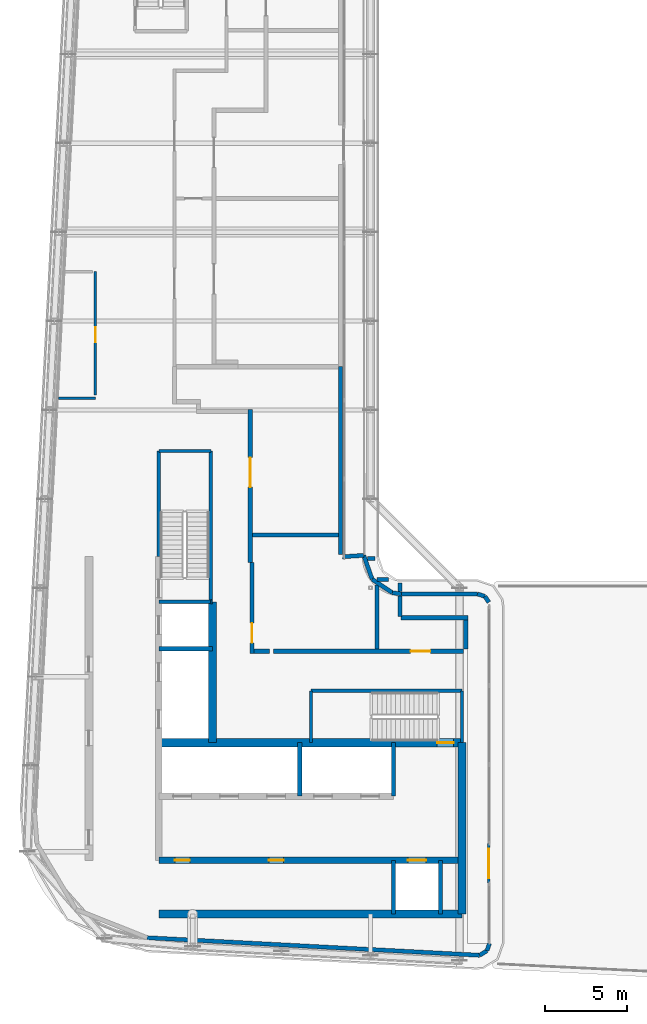
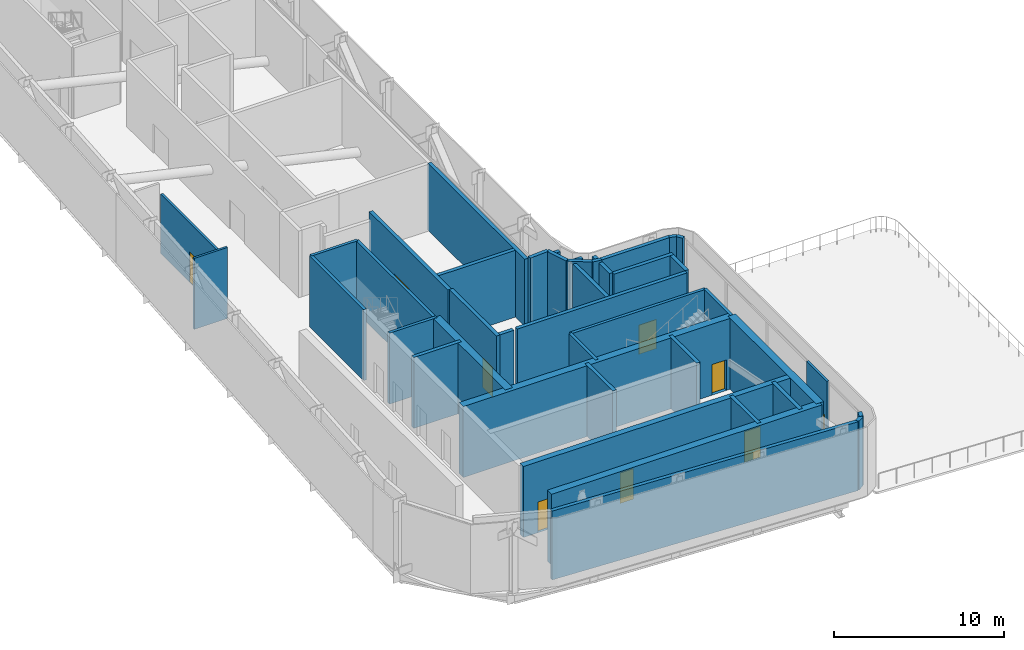
# One storey, part 11 of 18: 44 walls, 9 doors, 9 openings.
"""IFC4 building model written with IfcOpenShell, lengths in metres."""

from ifc_helpers import new_model, si_unit, direction, frame, frame_2d, origin, place, context, subcontext, project, spatial, rectangle, extrude, source, transform, mapped, material, layer, layer_set, type_object, element, fill, save


model = new_model("IFC4")

# Units and contexts
model_context = context("Model", 3, precision=1e-05, world=origin(), true_north=direction((0.0, 1.0)))
body_context = subcontext(model_context, "Body", "Model", "MODEL_VIEW")
ifc_project = project(units=[si_unit("LENGTHUNIT", "METRE"), si_unit("AREAUNIT", "SQUARE_METRE"), si_unit("VOLUMEUNIT", "CUBIC_METRE"), si_unit("PLANEANGLEUNIT", "RADIAN"), si_unit("MASSUNIT", "GRAM", prefix="KILO")], contexts=[model_context])

# Site, building, storey
site_placement = place(None, origin())
site = spatial("IfcSite", under=ifc_project, at=site_placement, CompositionType="ELEMENT")
building_placement = place(site_placement, origin())
building = spatial("IfcBuilding", under=site, at=building_placement, Name="Kheshtan School and Residences Tower", CompositionType="ELEMENT")
storey_placement = place(building_placement, frame((0.0, 0.0, 333.199951171875)))
storey = spatial("IfcBuildingStorey", under=building, at=storey_placement, Name="L78", CompositionType="ELEMENT", Elevation=333.199951171875)

# Wall, openings, doors
ifc_material_1 = material(Name="Concrete C50/60", Category="concrete")
ifc_layer_1 = layer(ifc_material_1, 0.39990234375)
ifc_layer_set_1 = layer_set([ifc_layer_1], Name="Core wall 400 Concrete C50/60")
wall_type_1 = type_object("IfcWallType", Name="Core wall 400 Concrete C50/60", PredefinedType="SHEAR", material=ifc_layer_set_1)
wall_1_placement = place(storey_placement, frame((34.75, 29.050048828125, 0.0), z_axis=(0.0, 0.0, 1.0), x_axis=(1.0, 0.0, 0.0)))
wall_1 = element("IfcWall", 1, at=wall_1_placement, inside=storey, type_object=wall_type_1, Name="Core wall CW-HALL-S1", PredefinedType="SHEAR", context=body_context, shape_type="SweptSolid", body=[
    extrude(rectangle(XDim=18.39990234375, YDim=0.39990234375, at=frame_2d((9.199951171875, 0.0))), origin(), (0.0, 0.0, 1.0), 5.10009765625),
])
opening_1_placement = place(wall_1_placement, frame((15.125, 0.0, 0.0)))
opening_1 = element("IfcOpeningElement", 2, at=opening_1_placement, cuts=wall_1, Name="Opening LD", PredefinedType="OPENING", context=body_context, shape_type="SweptSolid", body=[
    extrude(rectangle(XDim=1.10009765625, YDim=2.199951171875, at=frame_2d((0.550048828125, 1.10009765625))), frame((0.0, 0.2099609375, 0.0), z_axis=(0.0, -1.0, 0.0), x_axis=(1.0, 0.0, 0.0)), (0.0, 0.0, 1.0), 0.419921875),
])
opening_2_placement = place(wall_1_placement, frame((0.97509765625, 0.0, 0.0)))
opening_2 = element("IfcOpeningElement", 3, at=opening_2_placement, cuts=wall_1, Name="Opening SR90", PredefinedType="OPENING", context=body_context, shape_type="SweptSolid", body=[
    extrude(rectangle(XDim=0.89990234375, YDim=2.199951171875, at=frame_2d((0.449951171875, 1.10009765625))), frame((0.0, 0.2099609375, 0.0), z_axis=(0.0, -1.0, 0.0), x_axis=(1.0, 0.0, 0.0)), (0.0, 0.0, 1.0), 0.419921875),
])
opening_3_placement = place(wall_1_placement, frame((6.675048828125, 0.0, 0.0)))
opening_3 = element("IfcOpeningElement", 4, at=opening_3_placement, cuts=wall_1, Name="Opening SR90", PredefinedType="OPENING", context=body_context, shape_type="SweptSolid", body=[
    extrude(rectangle(XDim=0.89990234375, YDim=2.199951171875, at=frame_2d((0.449951171875, 1.10009765625))), frame((0.0, 0.2099609375, 0.0), z_axis=(0.0, -1.0, 0.0), x_axis=(1.0, 0.0, 0.0)), (0.0, 0.0, 1.0), 0.419921875),
])
ifc_material_2 = material(Name="Stainless steel door leaves", Category="steel")
door_type_1 = type_object("IfcDoorType", Name="Lift landing door 1100", OperationType="SLIDING_TO_LEFT", PredefinedType="DOOR", material=ifc_material_2)
shared_shape_1 = source(origin(), body_context, "Body", "SweptSolid", [
    extrude(rectangle(XDim=1.10009765625, YDim=2.199951171875, at=frame_2d((0.550048828125, 1.10009765625))), frame((0.0, 0.02490234375, 0.0), z_axis=(0.0, -1.0, 0.0), x_axis=(1.0, 0.0, 0.0)), (0.0, 0.0, 1.0), 0.050048828125),
])
door_1_placement = place(opening_1_placement, origin())
door_1 = element("IfcDoor", 5, at=door_1_placement, inside=storey, type_object=door_type_1, Name="Lift FFL2 landing door", OperationType="SLIDING_TO_LEFT", OverallHeight=2.199951171875, OverallWidth=1.10009765625, PredefinedType="DOOR", context=body_context, shape_type="MappedRepresentation", body=[
    mapped(shared_shape_1, transform((0.0, 0.0, 0.0), x_axis=(1.0, 0.0, 0.0), y_axis=(0.0, 1.0, 0.0), z_axis=(0.0, 0.0, 1.0), scale=1.0)),
])
fill(opening_1, door_1)
ifc_material_3 = material(Name="Steel door leaf, galvanised", Category="steel")
door_type_2 = type_object("IfcDoorType", Name="Service room door 900 steel 90 min", OperationType="SINGLE_SWING_LEFT", PredefinedType="DOOR", material=ifc_material_3)
shared_shape_2 = source(origin(), body_context, "Body", "SweptSolid", [
    extrude(rectangle(XDim=0.89990234375, YDim=2.199951171875, at=frame_2d((0.449951171875, 1.10009765625))), frame((0.0, 0.02490234375, 0.0), z_axis=(0.0, -1.0, 0.0), x_axis=(1.0, 0.0, 0.0)), (0.0, 0.0, 1.0), 0.050048828125),
])
door_2_placement = place(opening_2_placement, origin())
door_2 = element("IfcDoor", 6, at=door_2_placement, inside=storey, type_object=door_type_2, Name="Service room door", OperationType="SINGLE_SWING_LEFT", OverallHeight=2.199951171875, OverallWidth=0.89990234375, PredefinedType="DOOR", context=body_context, shape_type="MappedRepresentation", body=[
    mapped(shared_shape_2, transform((0.0, 0.0, 0.0), x_axis=(1.0, 0.0, 0.0), y_axis=(0.0, 1.0, 0.0), z_axis=(0.0, 0.0, 1.0), scale=1.0)),
])
fill(opening_2, door_2)
door_3_placement = place(opening_3_placement, origin())
door_3 = element("IfcDoor", 7, at=door_3_placement, inside=storey, type_object=door_type_2, Name="Service room door", OperationType="SINGLE_SWING_RIGHT", OverallHeight=2.199951171875, OverallWidth=0.89990234375, PredefinedType="DOOR", context=body_context, shape_type="MappedRepresentation", body=[
    mapped(shared_shape_2, transform((0.0, 0.0, 0.0), x_axis=(1.0, 0.0, 0.0), y_axis=(0.0, 1.0, 0.0), z_axis=(0.0, 0.0, 1.0), scale=1.0)),
])
fill(opening_3, door_3)

# Wall
ifc_layer_2 = layer(ifc_material_1, 0.5)
ifc_layer_set_2 = layer_set([ifc_layer_2], Name="Core wall 500 Concrete C50/60")
wall_type_2 = type_object("IfcWallType", Name="Core wall 500 Concrete C50/60", PredefinedType="SHEAR", material=ifc_layer_set_2)
wall_2_placement = place(storey_placement, frame((34.75, 25.800048828125, 0.0), z_axis=(0.0, 0.0, 1.0), x_axis=(1.0, 0.0, 0.0)))
element("IfcWall", 8, at=wall_2_placement, inside=storey, type_object=wall_type_2, Name="Core wall CW-REAR-S", PredefinedType="SHEAR", context=body_context, shape_type="SweptSolid", body=[
    extrude(rectangle(XDim=18.39990234375, YDim=0.5, at=frame_2d((9.199951171875, 0.0))), origin(), (0.0, 0.0, 1.0), 5.10009765625),
])

# Wall, opening, door
wall_3_placement = place(storey_placement, frame((34.75, 36.199951171875, 0.0), z_axis=(0.0, 0.0, 1.0), x_axis=(1.0, 0.0, 0.0)))
wall_3 = element("IfcWall", 9, at=wall_3_placement, inside=storey, type_object=wall_type_2, Name="Core wall CW-FRONT-S", PredefinedType="SHEAR", context=body_context, shape_type="SweptSolid", body=[
    extrude(rectangle(XDim=18.39990234375, YDim=0.5, at=frame_2d((9.199951171875, 0.0))), origin(), (0.0, 0.0, 1.0), 5.10009765625),
])
opening_4_placement = place(wall_3_placement, frame((16.89990234375, 0.0, 0.0)))
opening_4 = element("IfcOpeningElement", 10, at=opening_4_placement, cuts=wall_3, Name="Opening ST1D", PredefinedType="OPENING", context=body_context, shape_type="SweptSolid", body=[
    extrude(rectangle(XDim=1.0, YDim=2.199951171875, at=frame_2d((0.5, 1.10009765625))), frame((0.0, 0.260009765625, 0.0), z_axis=(0.0, -1.0, 0.0), x_axis=(1.0, 0.0, 0.0)), (0.0, 0.0, 1.0), 0.52001953125),
])
door_type_3 = type_object("IfcDoorType", Name="Stair door 1100 steel 90 min", OperationType="SINGLE_SWING_LEFT", PredefinedType="DOOR", material=ifc_material_3)
shared_shape_3 = source(origin(), body_context, "Body", "SweptSolid", [
    extrude(rectangle(XDim=1.0, YDim=2.199951171875, at=frame_2d((0.5, 1.10009765625))), frame((0.0, 0.02490234375, 0.0), z_axis=(0.0, -1.0, 0.0), x_axis=(1.0, 0.0, 0.0)), (0.0, 0.0, 1.0), 0.050048828125),
])
door_4_placement = place(opening_4_placement, origin())
door_4 = element("IfcDoor", 11, at=door_4_placement, inside=storey, type_object=door_type_3, Name="Stair ST1 door", OperationType="SINGLE_SWING_RIGHT", OverallHeight=2.199951171875, OverallWidth=1.0, PredefinedType="DOOR", context=body_context, shape_type="MappedRepresentation", body=[
    mapped(shared_shape_3, transform((0.0, 0.0, 0.0), x_axis=(1.0, 0.0, 0.0), y_axis=(0.0, 1.0, 0.0), z_axis=(0.0, 0.0, 1.0), scale=1.0)),
])
fill(opening_4, door_4)

# Walls
wall_4_placement = place(storey_placement, frame((38.0, 36.199951171875, 0.0), z_axis=(0.0, 0.0, 1.0), x_axis=(0.0, 1.0, 0.0)))
element("IfcWall", 12, at=wall_4_placement, inside=storey, type_object=wall_type_2, Name="Core wall CW-FRONT-W", PredefinedType="SHEAR", context=body_context, shape_type="SweptSolid", body=[
    extrude(rectangle(XDim=8.550048828125, YDim=0.5, at=frame_2d((4.27490234375, 0.0))), origin(), (0.0, 0.0, 1.0), 5.10009765625),
])
wall_5_placement = place(storey_placement, frame((53.14990234375, 25.800048828125, 0.0), z_axis=(0.0, 0.0, 1.0), x_axis=(0.0, 1.0, 0.0)))
element("IfcWall", 13, at=wall_5_placement, inside=storey, type_object=wall_type_2, Name="Core wall CW-EAST", PredefinedType="SHEAR", context=body_context, shape_type="SweptSolid", body=[
    extrude(rectangle(XDim=10.39990234375, YDim=0.5, at=frame_2d((5.199951171875, 0.0))), origin(), (0.0, 0.0, 1.0), 5.10009765625),
])
ifc_material_4 = material(Name="Concrete C40/50 with ceramic cladding and mineral wool insulation", Category="concrete")
ifc_layer_3 = layer(ifc_material_4, 0.25)
ifc_layer_set_3 = layer_set([ifc_layer_3], Name="External wall 250 ceramic clad")
wall_type_3 = type_object("IfcWallType", Name="External wall 250 ceramic clad", PredefinedType="SOLIDWALL", material=ifc_layer_set_3)
wall_6_placement = place(storey_placement, frame((54.089111328125, 45.22509765625, 0.0), z_axis=(0.0, 0.0, 1.0), x_axis=(0.95293248308, -0.303182589689, 0.0)))
element("IfcWall", 14, at=wall_6_placement, inside=storey, type_object=wall_type_3, Name="External wall L78 1", PredefinedType="SOLIDWALL", context=body_context, shape_type="SweptSolid", body=[
    extrude(rectangle(XDim=0.478271484375, YDim=0.25, at=frame_2d((0.2392578125, 0.0))), origin(), (0.0, 0.0, 1.0), 4.949951171875),
])
wall_7_placement = place(storey_placement, frame((54.544921875, 45.080078125, 0.0), z_axis=(0.0, 0.0, 1.0), x_axis=(0.554304922981, -0.832313674259, 0.0)))
element("IfcWall", 15, at=wall_7_placement, inside=storey, type_object=wall_type_3, Name="External wall L78 2", PredefinedType="SOLIDWALL", context=body_context, shape_type="SweptSolid", body=[
    extrude(rectangle(XDim=0.427734375, YDim=0.25, at=frame_2d((0.2138671875, 0.0))), origin(), (0.0, 0.0, 1.0), 4.949951171875),
])
wall_8_placement = place(storey_placement, frame((54.819091796875, 24.014892578125, 0.0), z_axis=(0.0, 0.0, 1.0), x_axis=(-0.31061251311, -0.950536620388, 0.0)))
element("IfcWall", 16, at=wall_8_placement, inside=storey, type_object=wall_type_3, Name="External wall L78 4", PredefinedType="SOLIDWALL", context=body_context, shape_type="SweptSolid", body=[
    extrude(rectangle(XDim=0.469970703125, YDim=0.25, at=frame_2d((0.23486328125, 0.0))), origin(), (0.0, 0.0, 1.0), 4.949951171875),
])
wall_9_placement = place(storey_placement, frame((54.673095703125, 23.568115234375, 0.0), z_axis=(0.0, 0.0, 1.0), x_axis=(-0.849633012236, -0.527374387432, 0.0)))
element("IfcWall", 17, at=wall_9_placement, inside=storey, type_object=wall_type_3, Name="External wall L78 5", PredefinedType="SOLIDWALL", context=body_context, shape_type="SweptSolid", body=[
    extrude(rectangle(XDim=0.52734375, YDim=0.25, at=frame_2d((0.263671875, 0.0))), origin(), (0.0, 0.0, 1.0), 4.949951171875),
])
wall_10_placement = place(storey_placement, frame((54.22509765625, 23.2900390625, 0.0), z_axis=(0.0, 0.0, 1.0), x_axis=(-0.998616360924, 0.052586725472, 0.0)))
element("IfcWall", 18, at=wall_10_placement, inside=storey, type_object=wall_type_3, Name="External wall L78 6", PredefinedType="SOLIDWALL", context=body_context, shape_type="SweptSolid", body=[
    extrude(rectangle(XDim=20.214111328125, YDim=0.25, at=frame_2d((10.10693359375, 0.0))), origin(), (0.0, 0.0, 1.0), 4.949951171875),
])
wall_11_placement = place(storey_placement, frame((45.89697265625, 47.486083984375, 0.0), z_axis=(0.0, 0.0, 1.0), x_axis=(0.997841571158, 0.065667334864, 0.0)))
element("IfcWall", 19, at=wall_11_placement, inside=storey, type_object=wall_type_3, Name="External wall L78 20", PredefinedType="SOLIDWALL", context=body_context, shape_type="SweptSolid", body=[
    extrude(rectangle(XDim=1.293701171875, YDim=0.25, at=frame_2d((0.64697265625, 0.0))), origin(), (0.0, 0.0, 1.0), 4.949951171875),
])
wall_12_placement = place(storey_placement, frame((47.18798828125, 47.571044921875, 0.0), z_axis=(0.0, 0.0, 1.0), x_axis=(0.331615835646, -0.943414509931, 0.0)))
element("IfcWall", 20, at=wall_12_placement, inside=storey, type_object=wall_type_3, Name="External wall L78 21", PredefinedType="SOLIDWALL", context=body_context, shape_type="SweptSolid", body=[
    extrude(rectangle(XDim=1.537841796875, YDim=0.25, at=frame_2d((0.76904296875, 0.0))), origin(), (0.0, 0.0, 1.0), 4.949951171875),
])
wall_13_placement = place(storey_placement, frame((47.697998046875, 46.1201171875, 0.0), z_axis=(0.0, 0.0, 1.0), x_axis=(0.831209040074, -0.555960009082, 0.0)))
element("IfcWall", 21, at=wall_13_placement, inside=storey, type_object=wall_type_3, Name="External wall L78 22", PredefinedType="SOLIDWALL", context=body_context, shape_type="SweptSolid", body=[
    extrude(rectangle(XDim=1.47509765625, YDim=0.25, at=frame_2d((0.737548828125, 0.0))), origin(), (0.0, 0.0, 1.0), 4.949951171875),
])
wall_14_placement = place(storey_placement, frame((48.924072265625, 45.300048828125, 0.0), z_axis=(0.0, 0.0, 1.0), x_axis=(0.990938998022, -0.134312703043, 0.0)))
element("IfcWall", 22, at=wall_14_placement, inside=storey, type_object=wall_type_3, Name="External wall L78 23", PredefinedType="SOLIDWALL", context=body_context, shape_type="SweptSolid", body=[
    extrude(rectangle(XDim=0.55810546875, YDim=0.25, at=frame_2d((0.279052734375, 0.0))), origin(), (0.0, 0.0, 1.0), 4.949951171875),
])
wall_15_placement = place(storey_placement, frame((49.47705078125, 45.22509765625, 0.0), z_axis=(0.0, 0.0, 1.0), x_axis=(1.0, 0.0, 0.0)))
element("IfcWall", 23, at=wall_15_placement, inside=storey, type_object=wall_type_3, Name="External wall L78 24", PredefinedType="SOLIDWALL", context=body_context, shape_type="SweptSolid", body=[
    extrude(rectangle(XDim=4.612060546875, YDim=0.25, at=frame_2d((2.30615234375, 0.0))), origin(), (0.0, 0.0, 1.0), 4.949951171875),
])

# Wall, opening, door
ifc_material_5 = material(Name="Aluminium frame wall with insulated infill", Category="aluminium")
ifc_layer_4 = layer(ifc_material_5, 0.14990234375)
ifc_layer_set_4 = layer_set([ifc_layer_4], Name="Glazing frame wall 150")
wall_type_4 = type_object("IfcWallType", Name="Glazing frame wall 150", PredefinedType="SOLIDWALL", material=ifc_layer_set_4)
wall_16_placement = place(storey_placement, frame((54.77490234375, 30.070068359375, 0.0), z_axis=(0.0, 0.0, 1.0), x_axis=(0.0, -1.0, 0.0)))
wall_16 = element("IfcWall", 24, at=wall_16_placement, inside=storey, type_object=wall_type_4, Name="Terrace door wall L78 3", PredefinedType="SOLIDWALL", context=body_context, shape_type="SweptSolid", body=[
    extrude(rectangle(XDim=2.400146484375, YDim=0.14990234375, at=frame_2d((1.2001953125, 0.0))), origin(), (0.0, 0.0, 1.0), 4.949951171875),
])
opening_5_placement = place(wall_16_placement, frame((0.300048828125, 0.0, 0.0)))
opening_5 = element("IfcOpeningElement", 25, at=opening_5_placement, cuts=wall_16, Name="Opening BD", PredefinedType="OPENING", context=body_context, shape_type="SweptSolid", body=[
    extrude(rectangle(XDim=1.800048828125, YDim=2.39990234375, at=frame_2d((0.89990234375, 1.199951171875))), frame((0.0, 0.0849609375, 0.0), z_axis=(0.0, -1.0, 0.0), x_axis=(1.0, 0.0, 0.0)), (0.0, 0.0, 1.0), 0.169921875),
])
ifc_material_6 = material(Name="Clear low-e glass in thermally broken aluminium frame", Category="aluminium")
door_type_4 = type_object("IfcDoorType", Name="Balcony sliding door", OperationType="SLIDING_TO_LEFT", PredefinedType="DOOR", material=ifc_material_6)
shared_shape_4 = source(origin(), body_context, "Body", "SweptSolid", [
    extrude(rectangle(XDim=1.800048828125, YDim=2.39990234375, at=frame_2d((0.89990234375, 1.199951171875))), frame((0.0, 0.02490234375, 0.0), z_axis=(0.0, -1.0, 0.0), x_axis=(1.0, 0.0, 0.0)), (0.0, 0.0, 1.0), 0.050048828125),
])
door_5_placement = place(opening_5_placement, origin())
door_5 = element("IfcDoor", 26, at=door_5_placement, inside=storey, type_object=door_type_4, Name="Terrace door L78 3", OperationType="SLIDING_TO_LEFT", OverallHeight=2.39990234375, OverallWidth=1.800048828125, PredefinedType="DOOR", context=body_context, shape_type="MappedRepresentation", body=[
    mapped(shared_shape_4, transform((0.0, 0.0, 0.0), x_axis=(1.0, 0.0, 0.0), y_axis=(0.0, 1.0, 0.0), z_axis=(0.0, 0.0, 1.0), scale=1.0)),
])
fill(opening_5, door_5)

ifc_material_7 = material(Name="Fire-board and steel stud wall with mineral wool", Category="steel")
ifc_layer_5 = layer(ifc_material_7, 0.25)
ifc_layer_set_5 = layer_set([ifc_layer_5], Name="Plant room wall 250")
wall_type_5 = type_object("IfcWallType", Name="Plant room wall 250", PredefinedType="PARTITIONING", material=ifc_layer_set_5)
wall_17_placement = place(storey_placement, frame((40.300048828125, 47.14990234375, 0.0), z_axis=(0.0, 0.0, 1.0), x_axis=(0.0, 1.0, 0.0)))
wall_17 = element("IfcWall", 27, at=wall_17_placement, inside=storey, type_object=wall_type_5, Name="Partition L78-031", PredefinedType="PARTITIONING", context=body_context, shape_type="SweptSolid", body=[
    extrude(rectangle(XDim=9.28515625, YDim=0.25, at=frame_2d((4.642578125, 0.0))), origin(), (0.0, 0.0, 1.0), 4.800048828125),
])
opening_6_placement = place(wall_17_placement, frame((4.56201171875, 0.0, 0.0)))
opening_6 = element("IfcOpeningElement", 28, at=opening_6_placement, cuts=wall_17, Name="Opening D78-001", PredefinedType="OPENING", context=body_context, shape_type="SweptSolid", body=[
    extrude(rectangle(XDim=1.800048828125, YDim=2.10009765625, at=frame_2d((0.89990234375, 1.050048828125))), frame((0.0, 0.135009765625, 0.0), z_axis=(0.0, -1.0, 0.0), x_axis=(1.0, 0.0, 0.0)), (0.0, 0.0, 1.0), 0.27001953125),
])
ifc_material_8 = material(Name="Steel-framed fire-resisting door leaf", Category="steel")
door_type_5 = type_object("IfcDoorType", Name="Fire double door FD120 1800 x 2100", OperationType="DOUBLE_DOOR_SINGLE_SWING", PredefinedType="DOOR", material=ifc_material_8)
shared_shape_5 = source(origin(), body_context, "Body", "SweptSolid", [
    extrude(rectangle(XDim=1.800048828125, YDim=2.10009765625, at=frame_2d((0.89990234375, 1.050048828125))), frame((0.0, 0.02490234375, 0.0), z_axis=(0.0, -1.0, 0.0), x_axis=(1.0, 0.0, 0.0)), (0.0, 0.0, 1.0), 0.050048828125),
])
door_6_placement = place(opening_6_placement, origin())
door_6 = element("IfcDoor", 29, at=door_6_placement, inside=storey, type_object=door_type_5, Name="Door D78-001", OperationType="DOUBLE_DOOR_SINGLE_SWING", OverallHeight=2.10009765625, OverallWidth=1.800048828125, PredefinedType="DOOR", context=body_context, shape_type="MappedRepresentation", body=[
    mapped(shared_shape_5, transform((0.0, 0.0, 0.0), x_axis=(1.0, 0.0, 0.0), y_axis=(0.0, 1.0, 0.0), z_axis=(0.0, 0.0, 1.0), scale=1.0)),
])
fill(opening_6, door_6)

wall_18_placement = place(storey_placement, frame((40.39990234375, 41.623046875, 0.0), z_axis=(0.0, 0.0, 1.0), x_axis=(0.0, 1.0, 0.0)))
wall_18 = element("IfcWall", 30, at=wall_18_placement, inside=storey, type_object=wall_type_5, Name="Partition L78-032", PredefinedType="PARTITIONING", context=body_context, shape_type="SweptSolid", body=[
    extrude(rectangle(XDim=5.52685546875, YDim=0.25, at=frame_2d((2.763427734375, 0.0))), origin(), (0.0, 0.0, 1.0), 4.800048828125),
])
opening_7_placement = place(wall_18_placement, frame((0.626953125, 0.0, 0.0)))
opening_7 = element("IfcOpeningElement", 31, at=opening_7_placement, cuts=wall_18, Name="Opening D78-002", PredefinedType="OPENING", context=body_context, shape_type="SweptSolid", body=[
    extrude(rectangle(XDim=1.199951171875, YDim=2.10009765625, at=frame_2d((0.60009765625, 1.050048828125))), frame((0.0, 0.135009765625, 0.0), z_axis=(0.0, -1.0, 0.0), x_axis=(1.0, 0.0, 0.0)), (0.0, 0.0, 1.0), 0.27001953125),
])
door_type_6 = type_object("IfcDoorType", Name="Fire door FD120 1200 x 2100", OperationType="SINGLE_SWING_LEFT", PredefinedType="DOOR", material=ifc_material_8)
shared_shape_6 = source(origin(), body_context, "Body", "SweptSolid", [
    extrude(rectangle(XDim=1.199951171875, YDim=2.10009765625, at=frame_2d((0.60009765625, 1.050048828125))), frame((0.0, 0.02490234375, 0.0), z_axis=(0.0, -1.0, 0.0), x_axis=(1.0, 0.0, 0.0)), (0.0, 0.0, 1.0), 0.050048828125),
])
door_7_placement = place(opening_7_placement, origin())
door_7 = element("IfcDoor", 32, at=door_7_placement, inside=storey, type_object=door_type_6, Name="Door D78-002", OperationType="SINGLE_SWING_RIGHT", OverallHeight=2.10009765625, OverallWidth=1.199951171875, PredefinedType="DOOR", context=body_context, shape_type="MappedRepresentation", body=[
    mapped(shared_shape_6, transform((0.0, 0.0, 0.0), x_axis=(1.0, 0.0, 0.0), y_axis=(0.0, 1.0, 0.0), z_axis=(0.0, 0.0, 1.0), scale=1.0)),
])
fill(opening_7, door_7)

# Walls
wall_19_placement = place(storey_placement, frame((40.425048828125, 48.81201171875, 0.0), z_axis=(0.0, 0.0, 1.0), x_axis=(1.0, 0.0, 0.0)))
element("IfcWall", 33, at=wall_19_placement, inside=storey, type_object=wall_type_5, Name="Partition L78-033", PredefinedType="PARTITIONING", context=body_context, shape_type="SweptSolid", body=[
    extrude(rectangle(XDim=5.22998046875, YDim=0.25, at=frame_2d((2.614990234375, 0.0))), origin(), (0.0, 0.0, 1.0), 4.800048828125),
])
wall_20_placement = place(storey_placement, frame((40.52490234375, 41.748046875, 0.0), z_axis=(0.0, 0.0, 1.0), x_axis=(1.0, 0.0, 0.0)))
element("IfcWall", 34, at=wall_20_placement, inside=storey, type_object=wall_type_5, Name="Partition L78-034", PredefinedType="PARTITIONING", context=body_context, shape_type="SweptSolid", body=[
    extrude(rectangle(XDim=0.940185546875, YDim=0.25, at=frame_2d((0.47021484375, 0.0))), origin(), (0.0, 0.0, 1.0), 4.800048828125),
])

# Wall, opening, door
wall_21_placement = place(storey_placement, frame((41.715087890625, 41.7490234375, 0.0), z_axis=(0.0, 0.0, 1.0), x_axis=(0.999999967773, 0.000253876904, 0.0)))
wall_21 = element("IfcWall", 35, at=wall_21_placement, inside=storey, type_object=wall_type_5, Name="Partition L78-040", PredefinedType="PARTITIONING", context=body_context, shape_type="SweptSolid", body=[
    extrude(rectangle(XDim=11.539794921875, YDim=0.25, at=frame_2d((5.77001953125, 0.0))), origin(), (0.0, 0.0, 1.0), 4.800048828125),
])
opening_8_placement = place(wall_21_placement, frame((8.31494140625, 0.0, 0.0)))
opening_8 = element("IfcOpeningElement", 36, at=opening_8_placement, cuts=wall_21, Name="Opening D78-003", PredefinedType="OPENING", context=body_context, shape_type="SweptSolid", body=[
    extrude(rectangle(XDim=1.199951171875, YDim=2.10009765625, at=frame_2d((0.60009765625, 1.050048828125))), frame((0.0, 0.135009765625, 0.0), z_axis=(0.0, -1.0, 0.0), x_axis=(1.0, 0.0, 0.0)), (0.0, 0.0, 1.0), 0.27001953125),
])
door_8_placement = place(opening_8_placement, origin())
door_8 = element("IfcDoor", 37, at=door_8_placement, inside=storey, type_object=door_type_6, Name="Door D78-003", OperationType="SINGLE_SWING_LEFT", OverallHeight=2.10009765625, OverallWidth=1.199951171875, PredefinedType="DOOR", context=body_context, shape_type="MappedRepresentation", body=[
    mapped(shared_shape_6, transform((0.0, 0.0, 0.0), x_axis=(1.0, 0.0, 0.0), y_axis=(0.0, 1.0, 0.0), z_axis=(0.0, 0.0, 1.0), scale=1.0)),
])
fill(opening_8, door_8)

# Walls
wall_22_placement = place(storey_placement, frame((45.780029296875, 47.611083984375, 0.0), z_axis=(0.0, 0.0, 1.0), x_axis=(0.0, 1.0, 0.0)))
element("IfcWall", 38, at=wall_22_placement, inside=storey, type_object=wall_type_5, Name="Partition L78-041", PredefinedType="PARTITIONING", context=body_context, shape_type="SweptSolid", body=[
    extrude(rectangle(XDim=11.412841796875, YDim=0.25, at=frame_2d((5.70654296875, 0.0))), origin(), (0.0, 0.0, 1.0), 4.800048828125),
])
wall_23_placement = place(storey_placement, frame((47.430908203125, 47.3798828125, 0.0), z_axis=(0.0, 0.0, 1.0), x_axis=(1.0, 0.0, 0.0)))
element("IfcWall", 39, at=wall_23_placement, inside=storey, type_object=wall_type_5, Name="Partition L78-047", PredefinedType="PARTITIONING", context=body_context, shape_type="SweptSolid", body=[
    extrude(rectangle(XDim=0.4560546875, YDim=0.25, at=frame_2d((0.22802734375, 0.0))), origin(), (0.0, 0.0, 1.0), 4.800048828125),
])
wall_24_placement = place(storey_placement, frame((47.989990234375, 41.875, 0.0), z_axis=(0.0, 0.0, 1.0), x_axis=(0.0, 1.0, 0.0)))
element("IfcWall", 40, at=wall_24_placement, inside=storey, type_object=wall_type_5, Name="Partition L78-048", PredefinedType="PARTITIONING", context=body_context, shape_type="SweptSolid", body=[
    extrude(rectangle(XDim=3.90087890625, YDim=0.25, at=frame_2d((1.950439453125, 0.0))), origin(), (0.0, 0.0, 1.0), 4.800048828125),
])
wall_25_placement = place(storey_placement, frame((47.989990234375, 46.10009765625, 0.0), z_axis=(0.0, 0.0, 1.0), x_axis=(1.0, 0.0, 0.0)))
element("IfcWall", 41, at=wall_25_placement, inside=storey, type_object=wall_type_5, Name="Partition L78-049", PredefinedType="PARTITIONING", context=body_context, shape_type="SweptSolid", body=[
    extrude(rectangle(XDim=0.694091796875, YDim=0.25, at=frame_2d((0.34716796875, 0.0))), origin(), (0.0, 0.0, 1.0), 4.800048828125),
])
wall_26_placement = place(storey_placement, frame((49.3798828125, 43.85107421875, 0.0), z_axis=(0.0, 0.0, 1.0), x_axis=(0.0, 1.0, 0.0)))
element("IfcWall", 42, at=wall_26_placement, inside=storey, type_object=wall_type_5, Name="Partition L78-050", PredefinedType="PARTITIONING", context=body_context, shape_type="SweptSolid", body=[
    extrude(rectangle(XDim=1.25, YDim=0.25, at=frame_2d((0.625, 0.0))), origin(), (0.0, 0.0, 1.0), 4.800048828125),
])
wall_27_placement = place(storey_placement, frame((49.3798828125, 45.3798828125, 0.0), z_axis=(0.0, 0.0, 1.0), x_axis=(0.0, 1.0, 0.0)))
element("IfcWall", 43, at=wall_27_placement, inside=storey, type_object=wall_type_5, Name="Partition L78-051", PredefinedType="PARTITIONING", context=body_context, shape_type="SweptSolid", body=[
    extrude(rectangle(XDim=0.507080078125, YDim=0.25, at=frame_2d((0.25341796875, 0.0))), origin(), (0.0, 0.0, 1.0), 4.800048828125),
])
wall_28_placement = place(storey_placement, frame((49.450927734375, 43.780029296875, 0.0), z_axis=(0.0, 0.0, 1.0), x_axis=(1.0, 0.0, 0.0)))
element("IfcWall", 44, at=wall_28_placement, inside=storey, type_object=wall_type_5, Name="Partition L78-052", PredefinedType="PARTITIONING", context=body_context, shape_type="SweptSolid", body=[
    extrude(rectangle(XDim=4.053955078125, YDim=0.25, at=frame_2d((2.02685546875, 0.0))), origin(), (0.0, 0.0, 1.0), 4.800048828125),
])
wall_29_placement = place(storey_placement, frame((53.3798828125, 41.875, 0.0), z_axis=(0.0, 0.0, 1.0), x_axis=(0.0, 1.0, 0.0)))
element("IfcWall", 45, at=wall_29_placement, inside=storey, type_object=wall_type_5, Name="Partition L78-053", PredefinedType="PARTITIONING", context=body_context, shape_type="SweptSolid", body=[
    extrude(rectangle(XDim=1.780029296875, YDim=0.25, at=frame_2d((0.89013671875, 0.0))), origin(), (0.0, 0.0, 1.0), 4.800048828125),
])
ifc_material_9 = material(Name="Fire-board shaft wall system")
ifc_layer_6 = layer(ifc_material_9, 0.14990234375)
ifc_layer_set_6 = layer_set([ifc_layer_6], Name="Service room wall 150")
wall_type_6 = type_object("IfcWallType", Name="Service room wall 150", PredefinedType="PARTITIONING", material=ifc_layer_set_6)
wall_30_placement = place(storey_placement, frame((28.64599609375, 57.123046875, 0.0), z_axis=(0.0, 0.0, 1.0), x_axis=(1.0, 0.0, 0.0)))
element("IfcWall", 46, at=wall_30_placement, inside=storey, type_object=wall_type_6, Name="Service room wall", PredefinedType="PARTITIONING", context=body_context, shape_type="SweptSolid", body=[
    extrude(rectangle(XDim=2.25390625, YDim=0.14990234375, at=frame_2d((1.126953125, 0.0))), origin(), (0.0, 0.0, 1.0), 5.10009765625),
])

# Wall, opening, door
wall_31_placement = place(storey_placement, frame((30.89990234375, 57.318115234375, 0.0), z_axis=(0.0, 0.0, 1.0), x_axis=(0.0, 1.0, 0.0)))
wall_31 = element("IfcWall", 47, at=wall_31_placement, inside=storey, type_object=wall_type_6, Name="Service room wall", PredefinedType="PARTITIONING", context=body_context, shape_type="SweptSolid", body=[
    extrude(rectangle(XDim=7.48193359375, YDim=0.14990234375, at=frame_2d((3.740966796875, 0.0))), origin(), (0.0, 0.0, 1.0), 4.27197265625),
])
opening_9_placement = place(wall_31_placement, frame((3.194091796875, 0.0, 0.0)))
opening_9 = element("IfcOpeningElement", 48, at=opening_9_placement, cuts=wall_31, Name="Opening SR90", PredefinedType="OPENING", context=body_context, shape_type="SweptSolid", body=[
    extrude(rectangle(XDim=0.89990234375, YDim=2.199951171875, at=frame_2d((0.449951171875, 1.10009765625))), frame((0.0, 0.0849609375, 0.0), z_axis=(0.0, -1.0, 0.0), x_axis=(1.0, 0.0, 0.0)), (0.0, 0.0, 1.0), 0.169921875),
])
door_9_placement = place(opening_9_placement, origin())
door_9 = element("IfcDoor", 49, at=door_9_placement, inside=storey, type_object=door_type_2, Name="Service room door", OperationType="SINGLE_SWING_RIGHT", OverallHeight=2.199951171875, OverallWidth=0.89990234375, PredefinedType="DOOR", context=body_context, shape_type="MappedRepresentation", body=[
    mapped(shared_shape_2, transform((0.0, 0.0, 0.0), x_axis=(1.0, 0.0, 0.0), y_axis=(0.0, 1.0, 0.0), z_axis=(0.0, 0.0, 1.0), scale=1.0)),
])
fill(opening_9, door_9)

# Walls
ifc_layer_7 = layer(ifc_material_9, 0.25)
ifc_layer_set_7 = layer_set([ifc_layer_7], Name="Shaft lining wall 250")
wall_type_7 = type_object("IfcWallType", Name="Shaft lining wall 250", PredefinedType="PARTITIONING", material=ifc_layer_set_7)
for number, where, z_axis, x_axis, name in (
    (50, (43.300048828125, 32.949951171875, 0.0), (0.0, 0.0, 1.0), (0.0, 1.0, 0.0), "Shaft lining wall"),
    (51, (49.0, 25.800048828125, 0.0), (0.0, 0.0, 1.0), (0.0, 1.0, 0.0), "Shaft lining wall"),
    (52, (49.0, 32.949951171875, 0.0), (0.0, 0.0, 1.0), (0.0, 1.0, 0.0), "Shaft lining wall"),
    (53, (51.85009765625, 25.800048828125, 0.0), (0.0, 0.0, 1.0), (0.0, 1.0, 0.0), "Shaft lining wall"),
    (54, (34.75, 41.89990234375, 0.0), (0.0, 0.0, 1.0), (1.0, 0.0, 0.0), "Shaft lining wall"),
):
    element("IfcWall", number, at=place(storey_placement, frame(where, z_axis=z_axis, x_axis=x_axis)), inside=storey, type_object=wall_type_7, Name=name, PredefinedType="PARTITIONING", context=body_context, shape_type="SweptSolid", body=[
        extrude(rectangle(XDim=3.25, YDim=0.25, at=frame_2d((1.625, 0.0))), origin(), (0.0, 0.0, 1.0), 5.10009765625),
    ])
wall_32_placement = place(storey_placement, frame((37.89990234375, 44.75, 0.0), z_axis=(0.0, 0.0, 1.0), x_axis=(1.0, 0.0, 0.0)))
element("IfcWall", 55, at=wall_32_placement, inside=storey, type_object=wall_type_7, Name="Shaft lining wall", PredefinedType="PARTITIONING", context=body_context, shape_type="SweptSolid", body=[
    extrude(rectangle(XDim=0.10009765625, YDim=0.25, at=frame_2d((0.050048828125, 0.0))), origin(), (0.0, 0.0, 1.0), 5.10009765625),
])
ifc_material_10 = material(Name="Concrete C40/50", Category="concrete")
ifc_layer_8 = layer(ifc_material_10, 0.199951171875)
ifc_layer_set_8 = layer_set([ifc_layer_8], Name="Stair enclosure wall 200 Concrete C40/50")
wall_type_8 = type_object("IfcWallType", Name="Stair enclosure wall 200 Concrete C40/50", PredefinedType="SHEAR", material=ifc_layer_set_8)
wall_33_placement = place(storey_placement, frame((43.989990234375, 39.35009765625, 0.0), z_axis=(0.0, 0.0, 1.0), x_axis=(1.0, 0.0, 0.0)))
element("IfcWall", 56, at=wall_33_placement, inside=storey, type_object=wall_type_8, Name="Stair enclosure wall ST1", PredefinedType="SHEAR", context=body_context, shape_type="SweptSolid", body=[
    extrude(rectangle(XDim=9.159912109375, YDim=0.199951171875, at=frame_2d((4.580078125, 0.0))), origin(), (0.0, 0.0, 1.0), 5.10009765625),
])
for number, where, z_axis, x_axis, name in (
    (57, (43.989990234375, 36.199951171875, 0.0), (0.0, 0.0, 1.0), (0.0, 1.0, 0.0), "Stair enclosure wall ST1"),
    (58, (53.14990234375, 36.199951171875, 0.0), (0.0, 0.0, 1.0), (0.0, 1.0, 0.0), "Stair enclosure wall ST1"),
):
    element("IfcWall", number, at=place(storey_placement, frame(where, z_axis=z_axis, x_axis=x_axis)), inside=storey, type_object=wall_type_8, Name=name, PredefinedType="SHEAR", context=body_context, shape_type="SweptSolid", body=[
        extrude(rectangle(XDim=3.150146484375, YDim=0.199951171875, at=frame_2d((1.5751953125, 0.0))), origin(), (0.0, 0.0, 1.0), 5.10009765625),
    ])
for number, where, z_axis, x_axis, name in (
    (59, (34.75, 44.75, 0.0), (0.0, 0.0, 1.0), (1.0, 0.0, 0.0), "Stair enclosure wall ST2"),
    (60, (34.75, 53.909912109375, 0.0), (0.0, 0.0, 1.0), (1.0, 0.0, 0.0), "Stair enclosure wall ST2"),
):
    element("IfcWall", number, at=place(storey_placement, frame(where, z_axis=z_axis, x_axis=x_axis)), inside=storey, type_object=wall_type_8, Name=name, PredefinedType="SHEAR", context=body_context, shape_type="SweptSolid", body=[
        extrude(rectangle(XDim=3.14990234375, YDim=0.199951171875, at=frame_2d((1.574951171875, 0.0))), origin(), (0.0, 0.0, 1.0), 5.10009765625),
    ])
wall_34_placement = place(storey_placement, frame((34.75, 47.5, 0.0), z_axis=(0.0, 0.0, 1.0), x_axis=(0.0, 1.0, 0.0)))
element("IfcWall", 61, at=wall_34_placement, inside=storey, type_object=wall_type_8, Name="Stair enclosure wall ST2", PredefinedType="SHEAR", context=body_context, shape_type="SweptSolid", body=[
    extrude(rectangle(XDim=6.409912109375, YDim=0.199951171875, at=frame_2d((3.205078125, 0.0))), origin(), (0.0, 0.0, 1.0), 5.10009765625),
])
wall_35_placement = place(storey_placement, frame((37.89990234375, 44.75, 0.0), z_axis=(0.0, 0.0, 1.0), x_axis=(0.0, 1.0, 0.0)))
element("IfcWall", 62, at=wall_35_placement, inside=storey, type_object=wall_type_8, Name="Stair enclosure wall ST2", PredefinedType="SHEAR", context=body_context, shape_type="SweptSolid", body=[
    extrude(rectangle(XDim=9.159912109375, YDim=0.199951171875, at=frame_2d((4.580078125, 0.0))), origin(), (0.0, 0.0, 1.0), 5.10009765625),
])

save(model, "model.ifc")
